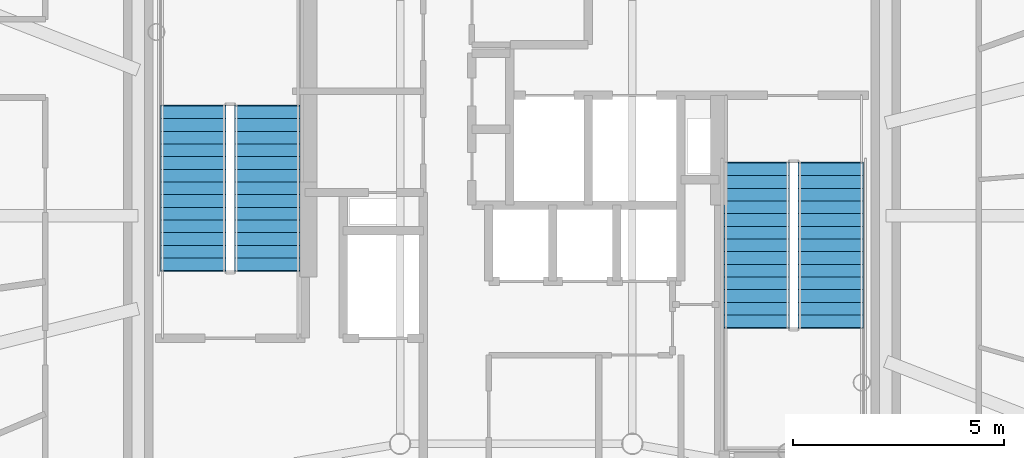
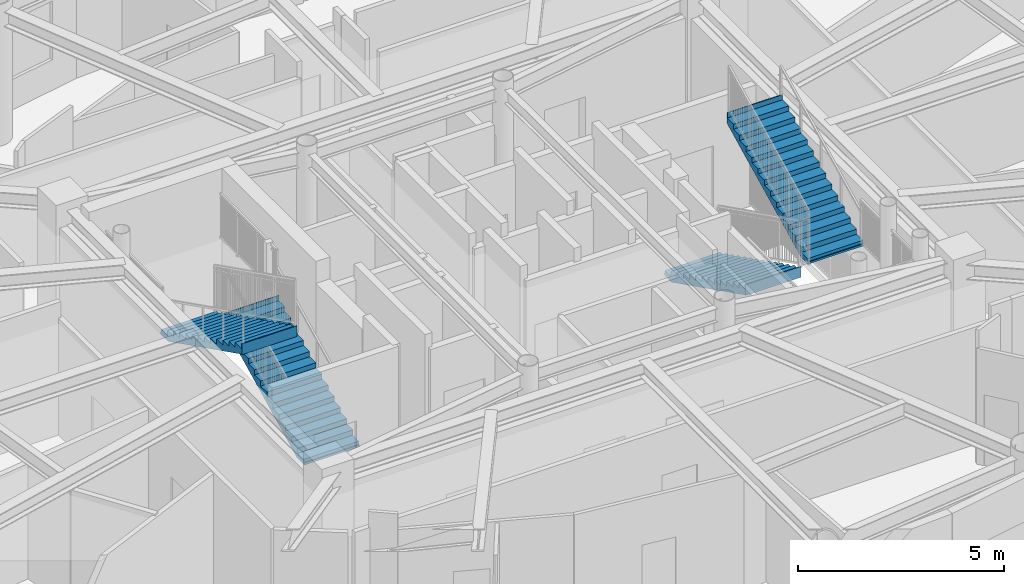
# One storey, part 18 of 24: 4 stair flights, 2 elements without a shape of their own.
"""IFC4 building model written with IfcOpenShell, lengths in metres."""

from ifc_helpers import new_model, si_unit, direction, frame, origin, place, context, subcontext, project, spatial, polyline, outline, extrude, source, transform, mapped, material, type_object, element, aggregate, save


model = new_model("IFC4")

# Units and contexts
model_context = context("Model", 3, precision=1e-05, world=origin(), true_north=direction((0.0, 1.0)))
body_context = subcontext(model_context, "Body", "Model", "MODEL_VIEW")
ifc_project = project(units=[si_unit("LENGTHUNIT", "METRE"), si_unit("AREAUNIT", "SQUARE_METRE"), si_unit("VOLUMEUNIT", "CUBIC_METRE"), si_unit("PLANEANGLEUNIT", "RADIAN"), si_unit("MASSUNIT", "GRAM", prefix="KILO")], contexts=[model_context])

# Site, building, storey
site_placement = place(None, origin())
site = spatial("IfcSite", under=ifc_project, at=site_placement, CompositionType="ELEMENT")
building_placement = place(site_placement, origin())
building = spatial("IfcBuilding", under=site, at=building_placement, Name="Linh Dai School and Residence Tower", CompositionType="ELEMENT")
storey_placement = place(building_placement, frame((0.0, 0.0, 355.199951171875)))
storey = spatial("IfcBuildingStorey", under=building, at=storey_placement, Name="L88", CompositionType="ELEMENT", Elevation=355.199951171875)

# Stair, stair flights
ifc_material = material(Name="Concrete B45 (C35/45)", Category="concrete")
stair_type = type_object("IfcStairType", Name="ST-DOG-1550-R1500", PredefinedType="HALF_TURN_STAIR", material=ifc_material)
stair_1_placement = place(storey_placement, origin())
stair_1 = element("IfcStair", 1, at=stair_1_placement, inside=storey, type_object=stair_type, Name="L88 Core Smokeproof Exit Stair ST1", PredefinedType="HALF_TURN_STAIR")
stair_flight_type = type_object("IfcStairFlightType", Name="STF-STR-1550-R1500", PredefinedType="STRAIGHT", material=ifc_material)
shared_shape = source(origin(), body_context, "Body", "SweptSolid", [
    extrude(outline(polyline([(-0.02490234375, 0.0), (-0.02490234375, 0.06005859375), (0.0, 0.06005859375), (0.0, 0.14990234375), (0.300048828125, 0.14990234375), (0.300048828125, 0.300048828125), (0.60009765625, 0.300048828125), (0.60009765625, 0.449951171875), (0.89990234375, 0.449951171875), (0.89990234375, 0.60009765625), (1.199951171875, 0.60009765625), (1.199951171875, 0.75), (1.5, 0.75), (1.5, 0.89990234375), (1.800048828125, 0.89990234375), (1.800048828125, 1.050048828125), (2.10009765625, 1.050048828125), (2.10009765625, 1.199951171875), (2.39990234375, 1.199951171875), (2.39990234375, 1.35009765625), (2.699951171875, 1.35009765625), (2.699951171875, 1.5), (3.0, 1.5), (3.0, 1.64990234375), (3.300048828125, 1.64990234375), (3.300048828125, 1.800048828125), (3.60009765625, 1.800048828125), (3.60009765625, 1.949951171875), (3.89990234375, 1.949951171875), (3.89990234375, 2.10009765625), (3.925048828125, 2.10009765625), (3.925048828125, 1.782470703125), (3.89990234375, 1.782470703125), (0.335205078125, 0.0), (-0.02490234375, 0.0)])), frame((0.0, 0.77490234375, 0.0), z_axis=(0.0, -1.0, 0.0), x_axis=(1.0, 0.0, 0.0)), (0.0, 0.0, 1.0), 1.550048828125),
])
stair_flight_1_placement = place(storey_placement, frame((30.205078125, 25.699951171875, 0.0), z_axis=(0.0, 0.0, 1.0), x_axis=(0.0, 1.0, 0.0)))
stair_flight_1 = element("IfcStairFlight", 2, at=stair_flight_1_placement, type_object=stair_flight_type, Name="ST1 flight 1", NumberOfRisers=14, NumberOfTreads=13, PredefinedType="STRAIGHT", RiserHeight=0.15, TreadLength=0.3, context=body_context, shape_type="MappedRepresentation", body=[
    mapped(shared_shape, transform((0.0, 0.0, 0.0), x_axis=(1.0, 0.0, 0.0), y_axis=(0.0, 1.0, 0.0), z_axis=(0.0, 0.0, 1.0), scale=1.0)),
])
stair_flight_2_placement = place(storey_placement, frame((28.455078125, 29.60009765625, 2.10009765625), z_axis=(0.0, 0.0, 1.0), x_axis=(0.0, -1.0, 0.0)))
stair_flight_2 = element("IfcStairFlight", 3, at=stair_flight_2_placement, type_object=stair_flight_type, Name="ST1 flight 2", NumberOfRisers=14, NumberOfTreads=13, PredefinedType="STRAIGHT", RiserHeight=0.15, TreadLength=0.3, context=body_context, shape_type="MappedRepresentation", body=[
    mapped(shared_shape, transform((0.0, 0.0, 0.0), x_axis=(1.0, 0.0, 0.0), y_axis=(0.0, 1.0, 0.0), z_axis=(0.0, 0.0, 1.0), scale=1.0)),
])
aggregate(stair_1, [stair_flight_1, stair_flight_2])

stair_2_placement = place(storey_placement, origin())
stair_2 = element("IfcStair", 4, at=stair_2_placement, inside=storey, type_object=stair_type, Name="L88 Core Smokeproof Exit Stair ST2", PredefinedType="HALF_TURN_STAIR")
stair_flight_3_placement = place(storey_placement, frame((41.794921875, 28.25, 0.0), z_axis=(0.0, 0.0, 1.0), x_axis=(0.0, -1.0, 0.0)))
stair_flight_3 = element("IfcStairFlight", 5, at=stair_flight_3_placement, type_object=stair_flight_type, Name="ST2 flight 1", NumberOfRisers=14, NumberOfTreads=13, PredefinedType="STRAIGHT", RiserHeight=0.15, TreadLength=0.3, context=body_context, shape_type="MappedRepresentation", body=[
    mapped(shared_shape, transform((0.0, 0.0, 0.0), x_axis=(1.0, 0.0, 0.0), y_axis=(0.0, 1.0, 0.0), z_axis=(0.0, 0.0, 1.0), scale=1.0)),
])
stair_flight_4_placement = place(storey_placement, frame((43.544921875, 24.35009765625, 2.10009765625), z_axis=(0.0, 0.0, 1.0), x_axis=(0.0, 1.0, 0.0)))
stair_flight_4 = element("IfcStairFlight", 6, at=stair_flight_4_placement, type_object=stair_flight_type, Name="ST2 flight 2", NumberOfRisers=14, NumberOfTreads=13, PredefinedType="STRAIGHT", RiserHeight=0.15, TreadLength=0.3, context=body_context, shape_type="MappedRepresentation", body=[
    mapped(shared_shape, transform((0.0, 0.0, 0.0), x_axis=(1.0, 0.0, 0.0), y_axis=(0.0, 1.0, 0.0), z_axis=(0.0, 0.0, 1.0), scale=1.0)),
])
aggregate(stair_2, [stair_flight_3, stair_flight_4])

save(model, "model.ifc")
